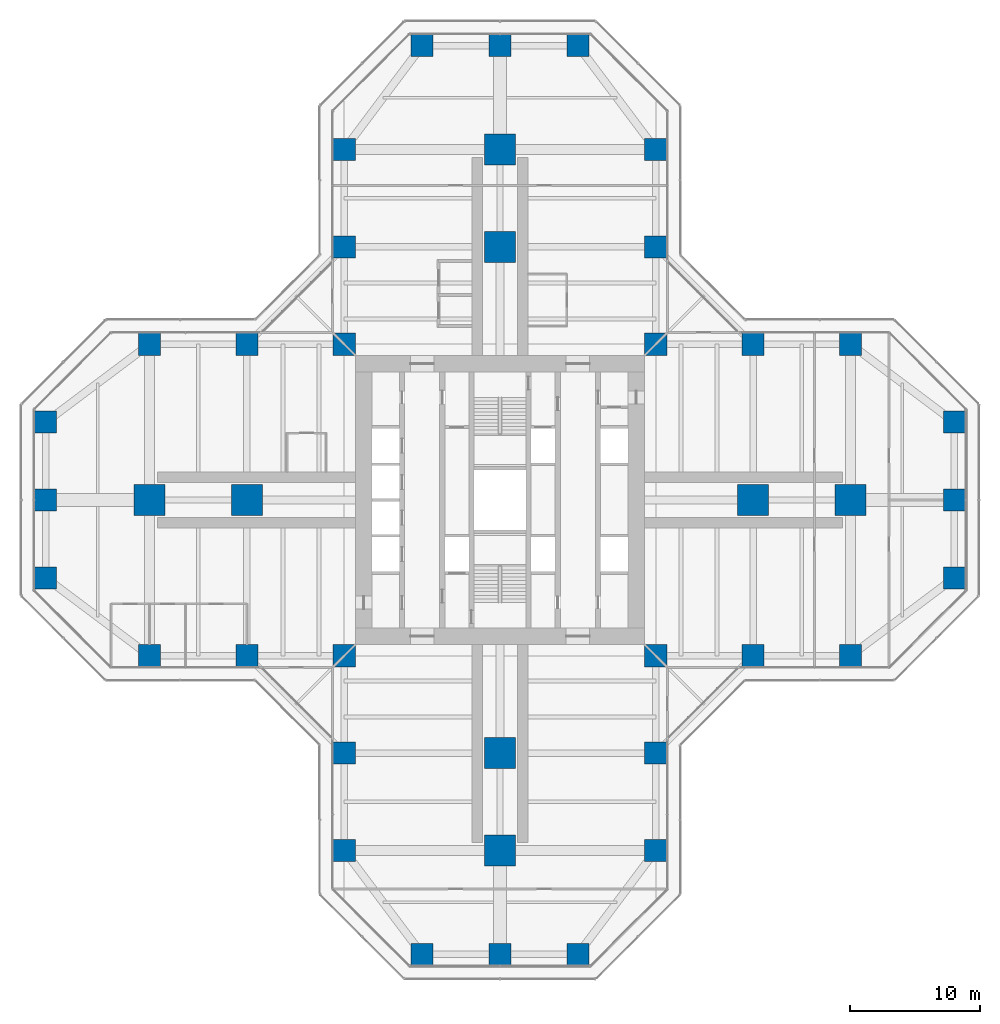
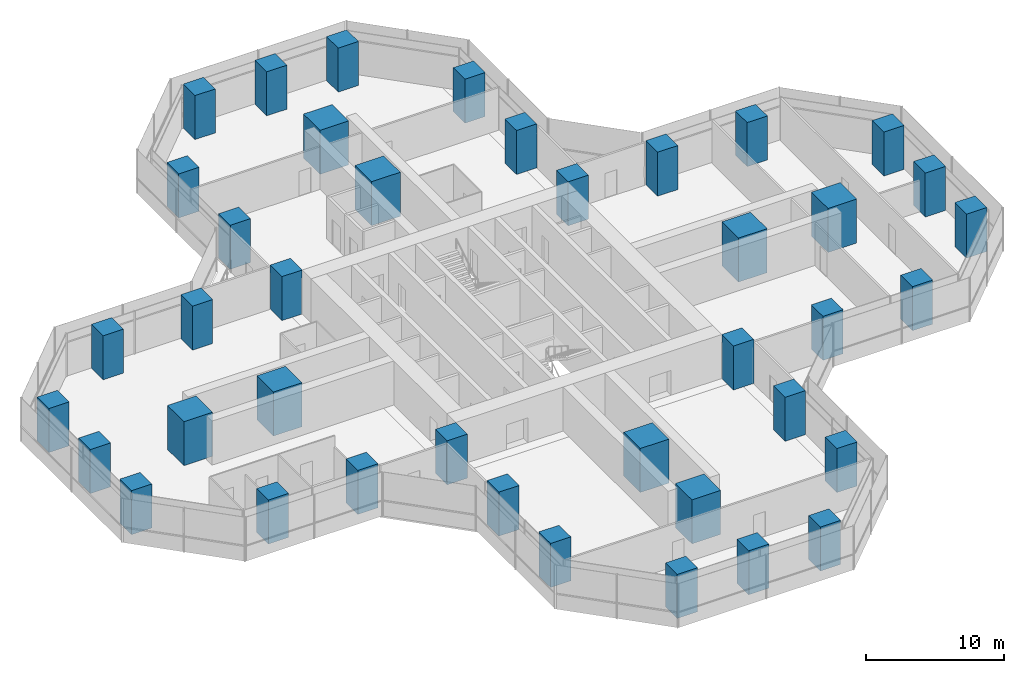
# One storey, part 1 of 22: 40 columns.
"""IFC4 building model written with IfcOpenShell, lengths in metres."""

from ifc_helpers import new_model, si_unit, direction, frame, origin, origin_2d, place, context, subcontext, project, spatial, rectangle, extrude, material, material_profile, profile_set, type_object, element, save


model = new_model("IFC4")

# Units and contexts
model_context = context("Model", 3, precision=1e-05, world=origin(), true_north=direction((0.0, 1.0)))
body_context = subcontext(model_context, "Body", "Model", "MODEL_VIEW")
ifc_project = project(units=[si_unit("LENGTHUNIT", "METRE"), si_unit("AREAUNIT", "SQUARE_METRE"), si_unit("VOLUMEUNIT", "CUBIC_METRE"), si_unit("PLANEANGLEUNIT", "RADIAN"), si_unit("MASSUNIT", "GRAM", prefix="KILO")], contexts=[model_context])

# Site, building, storey
site_placement = place(None, origin())
site = spatial("IfcSite", under=ifc_project, at=site_placement, CompositionType="ELEMENT")
building_placement = place(site_placement, origin())
building = spatial("IfcBuilding", under=site, at=building_placement, Name="Mizan Broadcast Tower", CompositionType="ELEMENT")
storey_placement = place(building_placement, frame((0.0, 0.0, 70.800048828125)))
storey = spatial("IfcBuildingStorey", under=building, at=storey_placement, Name="L14", CompositionType="ELEMENT", Elevation=70.800048828125)

# Columns
ifc_material_1 = material(Name="Concrete C70/85", Category="concrete")
ifc_material_profile_1 = material_profile(ifc_material_1, rectangle(XDim=1.699951171875, YDim=1.699951171875, at=origin_2d()), Name="RC 1700x1700")
ifc_profile_set_1 = profile_set([ifc_material_profile_1], Name="Concrete C70/85")
column_type_1 = type_object("IfcColumnType", Name="RC COLUMN 1700x1700 C70/85", PredefinedType="COLUMN", material=ifc_profile_set_1)
for number, where, z_axis, x_axis, name in (
    (1, (-6.0, -35.0, 0.0), (0.0, 0.0, 1.0), (1.0, 0.0, 0.0), "Column 5/A L14"),
    (2, (0.0, -35.0, 0.0), (0.0, 0.0, 1.0), (1.0, 0.0, 0.0), "Column 6/A L14"),
    (3, (6.0, -35.0, 0.0), (0.0, 0.0, 1.0), (1.0, 0.0, 0.0), "Column 7/A L14"),
    (4, (-12.0, -27.0, 0.0), (0.0, 0.0, 1.0), (1.0, 0.0, 0.0), "Column 4/B L14"),
    (5, (12.0, -27.0, 0.0), (0.0, 0.0, 1.0), (1.0, 0.0, 0.0), "Column 8/B L14"),
    (6, (-12.0, -19.5, 0.0), (0.0, 0.0, 1.0), (1.0, 0.0, 0.0), "Column 4/C L14"),
    (7, (12.0, -19.5, 0.0), (0.0, 0.0, 1.0), (1.0, 0.0, 0.0), "Column 8/C L14"),
    (8, (-27.0, -12.0, 0.0), (0.0, 0.0, 1.0), (1.0, 0.0, 0.0), "Column 2/D L14"),
    (9, (-19.5, -12.0, 0.0), (0.0, 0.0, 1.0), (1.0, 0.0, 0.0), "Column 3/D L14"),
    (10, (-12.0, -12.0, 0.0), (0.0, 0.0, 1.0), (1.0, 0.0, 0.0), "Column 4/D L14"),
    (11, (12.0, -12.0, 0.0), (0.0, 0.0, 1.0), (1.0, 0.0, 0.0), "Column 8/D L14"),
    (12, (19.5, -12.0, 0.0), (0.0, 0.0, 1.0), (1.0, 0.0, 0.0), "Column 9/D L14"),
    (13, (27.0, -12.0, 0.0), (0.0, 0.0, 1.0), (1.0, 0.0, 0.0), "Column 10/D L14"),
    (14, (-35.0, -6.0, 0.0), (0.0, 0.0, 1.0), (1.0, 0.0, 0.0), "Column 1/E L14"),
    (15, (35.0, -6.0, 0.0), (0.0, 0.0, 1.0), (1.0, 0.0, 0.0), "Column 11/E L14"),
    (16, (-35.0, 0.0, 0.0), (0.0, 0.0, 1.0), (1.0, 0.0, 0.0), "Column 1/F L14"),
    (17, (35.0, 0.0, 0.0), (0.0, 0.0, 1.0), (1.0, 0.0, 0.0), "Column 11/F L14"),
    (18, (-35.0, 6.0, 0.0), (0.0, 0.0, 1.0), (1.0, 0.0, 0.0), "Column 1/G L14"),
    (19, (35.0, 6.0, 0.0), (0.0, 0.0, 1.0), (1.0, 0.0, 0.0), "Column 11/G L14"),
    (20, (-27.0, 12.0, 0.0), (0.0, 0.0, 1.0), (1.0, 0.0, 0.0), "Column 2/H L14"),
    (21, (-19.5, 12.0, 0.0), (0.0, 0.0, 1.0), (1.0, 0.0, 0.0), "Column 3/H L14"),
    (22, (-12.0, 12.0, 0.0), (0.0, 0.0, 1.0), (1.0, 0.0, 0.0), "Column 4/H L14"),
    (23, (12.0, 12.0, 0.0), (0.0, 0.0, 1.0), (1.0, 0.0, 0.0), "Column 8/H L14"),
    (24, (19.5, 12.0, 0.0), (0.0, 0.0, 1.0), (1.0, 0.0, 0.0), "Column 9/H L14"),
    (25, (27.0, 12.0, 0.0), (0.0, 0.0, 1.0), (1.0, 0.0, 0.0), "Column 10/H L14"),
    (26, (-12.0, 19.5, 0.0), (0.0, 0.0, 1.0), (1.0, 0.0, 0.0), "Column 4/J L14"),
    (27, (12.0, 19.5, 0.0), (0.0, 0.0, 1.0), (1.0, 0.0, 0.0), "Column 8/J L14"),
    (28, (-12.0, 27.0, 0.0), (0.0, 0.0, 1.0), (1.0, 0.0, 0.0), "Column 4/K L14"),
    (29, (12.0, 27.0, 0.0), (0.0, 0.0, 1.0), (1.0, 0.0, 0.0), "Column 8/K L14"),
    (30, (-6.0, 35.0, 0.0), (0.0, 0.0, 1.0), (1.0, 0.0, 0.0), "Column 5/L L14"),
    (31, (0.0, 35.0, 0.0), (0.0, 0.0, 1.0), (1.0, 0.0, 0.0), "Column 6/L L14"),
    (32, (6.0, 35.0, 0.0), (0.0, 0.0, 1.0), (1.0, 0.0, 0.0), "Column 7/L L14"),
):
    element("IfcColumn", number, at=place(storey_placement, frame(where, z_axis=z_axis, x_axis=x_axis)), inside=storey, type_object=column_type_1, Name=name, PredefinedType="COLUMN", context=body_context, shape_type="SweptSolid", body=[
        extrude(rectangle(XDim=1.699951171875, YDim=1.699951171875, at=origin_2d()), origin(), (0.0, 0.0, 1.0), 3.89990234375),
    ])
ifc_material_2 = material(Name="Concrete C70/85", Category="concrete")
ifc_material_profile_2 = material_profile(ifc_material_2, rectangle(XDim=2.39990234375, YDim=2.39990234375, at=origin_2d()), Name="RC 2400x2400")
ifc_profile_set_2 = profile_set([ifc_material_profile_2], Name="Concrete C70/85")
column_type_2 = type_object("IfcColumnType", Name="RC COLUMN 2400x2400 C70/85", PredefinedType="COLUMN", material=ifc_profile_set_2)
for number, where, z_axis, x_axis, name in (
    (33, (0.0, -27.0, 0.0), (0.0, 0.0, 1.0), (1.0, 0.0, 0.0), "Column 6/B L14"),
    (34, (0.0, -19.5, 0.0), (0.0, 0.0, 1.0), (1.0, 0.0, 0.0), "Column 6/C L14"),
    (35, (-27.0, 0.0, 0.0), (0.0, 0.0, 1.0), (1.0, 0.0, 0.0), "Column 2/F L14"),
    (36, (-19.5, 0.0, 0.0), (0.0, 0.0, 1.0), (1.0, 0.0, 0.0), "Column 3/F L14"),
    (37, (19.5, 0.0, 0.0), (0.0, 0.0, 1.0), (1.0, 0.0, 0.0), "Column 9/F L14"),
    (38, (27.0, 0.0, 0.0), (0.0, 0.0, 1.0), (1.0, 0.0, 0.0), "Column 10/F L14"),
    (39, (0.0, 19.5, 0.0), (0.0, 0.0, 1.0), (1.0, 0.0, 0.0), "Column 6/J L14"),
    (40, (0.0, 27.0, 0.0), (0.0, 0.0, 1.0), (1.0, 0.0, 0.0), "Column 6/K L14"),
):
    element("IfcColumn", number, at=place(storey_placement, frame(where, z_axis=z_axis, x_axis=x_axis)), inside=storey, type_object=column_type_2, Name=name, PredefinedType="COLUMN", context=body_context, shape_type="SweptSolid", body=[
        extrude(rectangle(XDim=2.39990234375, YDim=2.39990234375, at=origin_2d()), origin(), (0.0, 0.0, 1.0), 3.89990234375),
    ])

save(model, "model.ifc")
